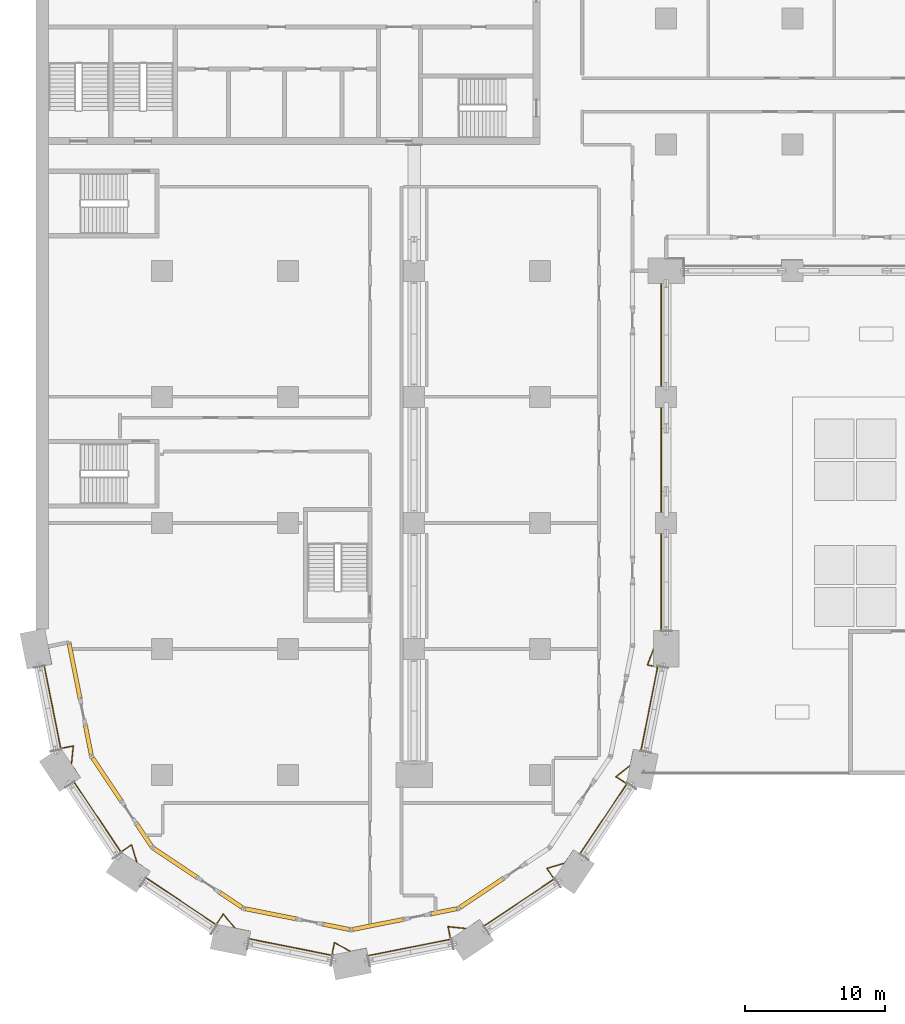
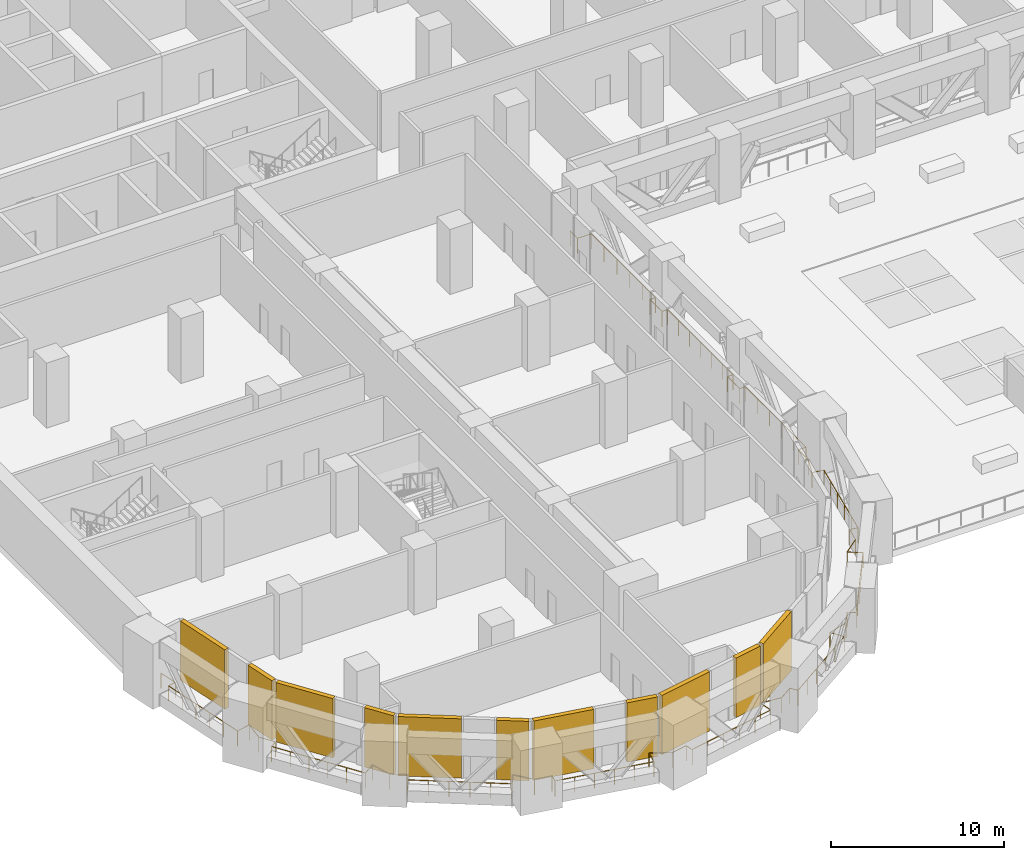
# One storey, part 26 of 31: 11 shading devices, 1 railing.
"""IFC4 building model written with IfcOpenShell, lengths in metres."""

from ifc_helpers import new_model, si_unit, direction, frame, origin, origin_2d, place, context, subcontext, project, spatial, rectangle, circle, extrude, material, layer, layer_set, type_object, element, save


model = new_model("IFC4")

# Units and contexts
model_context = context("Model", 3, precision=1e-05, world=origin(), true_north=direction((0.0, 1.0)))
body_context = subcontext(model_context, "Body", "Model", "MODEL_VIEW")
ifc_project = project(units=[si_unit("LENGTHUNIT", "METRE"), si_unit("AREAUNIT", "SQUARE_METRE"), si_unit("VOLUMEUNIT", "CUBIC_METRE"), si_unit("PLANEANGLEUNIT", "RADIAN"), si_unit("MASSUNIT", "GRAM", prefix="KILO")], contexts=[model_context])

# Site, building, storey
site_placement = place(None, origin())
site = spatial("IfcSite", under=ifc_project, at=site_placement, CompositionType="ELEMENT")
building_placement = place(site_placement, origin())
building = spatial("IfcBuilding", under=site, at=building_placement, Name="Hunhe Ridgeline Campus", CompositionType="ELEMENT")
storey_placement = place(building_placement, frame((0.0, 0.0, 31.199951171875)))
storey = spatial("IfcBuildingStorey", under=building, at=storey_placement, Name="L06", CompositionType="ELEMENT", Elevation=31.199951171875)

# Railing
ifc_material_1 = material(Name="Steel Q355", Category="steel")
railing_type = type_object("IfcRailingType", Name="Loggia guard 1100 Steel Q355", PredefinedType="GUARDRAIL", material=ifc_material_1)
railing_placement = place(storey_placement, frame((0.853271484375, 27.169677734375, 0.0)))
element("IfcRailing", 1, at=railing_placement, inside=storey, type_object=railing_type, Name="Loggia guard 1", PredefinedType="GUARDRAIL", context=body_context, shape_type="SweptSolid", body=[
    extrude(circle(Radius=0.02392578125, at=origin_2d()), frame((0.0, 0.0, 1.076171875), z_axis=(0.195139364365, -0.980775523999, 0.0), x_axis=(0.980775523999, 0.195139364365, 0.0)), (0.0, 0.0, 1.0), 1.249755859375),
    extrude(circle(Radius=0.02392578125, at=origin_2d()), frame((0.243896484375, -1.225830078125, 1.076171875), z_axis=(-0.980742851189, -0.195303506986, 0.0), x_axis=(0.195303506986, -0.980742851189, 0.0)), (0.0, 0.0, 1.0), 0.52001953125),
    extrude(circle(Radius=0.02392578125, at=origin_2d()), frame((-0.26611328125, -1.327392578125, 1.076171875), z_axis=(0.195094074844, -0.980784533912, 0.0), x_axis=(0.980784533912, 0.195094074844, 0.0)), (0.0, 0.0, 1.0), 6.064208984375),
    extrude(circle(Radius=0.02392578125, at=origin_2d()), frame((0.9169921875, -7.275146484375, 1.076171875), z_axis=(0.980774480174, 0.195144610585, 0.0), x_axis=(-0.195144610585, 0.980774480174, 0.0)), (0.0, 0.0, 1.0), 0.918212890625),
    extrude(circle(Radius=0.02392578125, at=origin_2d()), frame((1.817626953125, -7.095947265625, 1.076171875), z_axis=(-0.102578746514, -0.994724886973, 0.0), x_axis=(0.994724886973, -0.102578746514, 0.0)), (0.0, 0.0, 1.0), 1.351806640625),
    extrude(circle(Radius=0.02392578125, at=origin_2d()), frame((1.678955078125, -8.440673828125, 1.076171875), z_axis=(0.555693885997, -0.831386976724, 0.0), x_axis=(0.831386976724, 0.555693885997, 0.0)), (0.0, 0.0, 1.0), 1.076904296875),
    extrude(circle(Radius=0.02392578125, at=origin_2d()), frame((2.27734375, -9.3359375, 1.076171875), z_axis=(-0.831327417949, -0.555782982977, 0.0), x_axis=(0.555782982977, -0.831327417949, 0.0)), (0.0, 0.0, 1.0), 0.52001953125),
    extrude(circle(Radius=0.02392578125, at=origin_2d()), frame((1.844970703125, -9.625, 1.076171875), z_axis=(0.55557319973, -0.831467630002, 0.0), x_axis=(0.831467630002, 0.55557319973, 0.0)), (0.0, 0.0, 1.0), 6.064208984375),
    extrude(circle(Radius=0.02392578125, at=origin_2d()), frame((5.214111328125, -14.667236328125, 1.076171875), z_axis=(0.831395250422, 0.555681507318, 0.0), x_axis=(-0.555681507318, 0.831395250422, 0.0)), (0.0, 0.0, 1.0), 0.918212890625),
    extrude(circle(Radius=0.02392578125, at=origin_2d()), frame((5.9775390625, -14.156982421875, 1.076171875), z_axis=(0.285889499126, -0.958262591511, 0.0), x_axis=(0.958262591511, 0.285889499126, 0.0)), (0.0, 0.0, 1.0), 1.351806640625),
    extrude(circle(Radius=0.02392578125, at=origin_2d()), frame((6.364013671875, -15.452392578125, 1.076171875), z_axis=(0.831456967492, -0.555589156849, 0.0), x_axis=(0.555589156849, 0.831456967492, 0.0)), (0.0, 0.0, 1.0), 1.0771484375),
    extrude(circle(Radius=0.02392578125, at=origin_2d()), frame((7.259521484375, -16.05078125, 1.076171875), z_axis=(-0.555675381322, -0.831399344835, 0.0), x_axis=(0.831399344835, -0.555675381322, 0.0)), (0.0, 0.0, 1.0), 0.519775390625),
    extrude(circle(Radius=0.02392578125, at=origin_2d()), frame((6.970703125, -16.48291015625, 1.076171875), z_axis=(0.831467630002, -0.55557319973, 0.0), x_axis=(0.55557319973, 0.831467630002, 0.0)), (0.0, 0.0, 1.0), 6.064208984375),
    extrude(circle(Radius=0.02392578125, at=origin_2d()), frame((12.012939453125, -19.85205078125, 1.076171875), z_axis=(0.555497688072, 0.831518080709, 0.0), x_axis=(-0.831518080709, 0.555497688072, 0.0)), (0.0, 0.0, 1.0), 0.918212890625),
    extrude(circle(Radius=0.02392578125, at=origin_2d()), frame((12.52294921875, -19.088623046875, 1.076171875), z_axis=(0.630864561128, -0.775892972976, 0.0), x_axis=(0.775892972976, 0.630864561128, 0.0)), (0.0, 0.0, 1.0), 1.351806640625),
    extrude(circle(Radius=0.02392578125, at=origin_2d()), frame((13.375732421875, -20.137451171875, 1.076171875), z_axis=(0.980771998786, -0.195157081339, 0.0), x_axis=(0.195157081339, 0.980771998786, 0.0)), (0.0, 0.0, 1.0), 1.0771484375),
    extrude(circle(Radius=0.02392578125, at=origin_2d()), frame((14.43212890625, -20.34765625, 1.076171875), z_axis=(-0.195303506986, -0.980742851189, 0.0), x_axis=(0.980742851189, -0.195303506986, 0.0)), (0.0, 0.0, 1.0), 0.52001953125),
    extrude(circle(Radius=0.02392578125, at=origin_2d()), frame((14.33056640625, -20.857666015625, 1.076171875), z_axis=(0.980792236535, -0.195055347919, 0.0), x_axis=(0.195055347919, 0.980792236535, 0.0)), (0.0, 0.0, 1.0), 6.064208984375),
    extrude(circle(Radius=0.02392578125, at=origin_2d()), frame((20.2783203125, -22.04052734375, 1.076171875), z_axis=(0.195144610585, 0.980774480174, 0.0), x_axis=(-0.980774480174, 0.195144610585, 0.0)), (0.0, 0.0, 1.0), 0.918212890625),
    extrude(circle(Radius=0.02392578125, at=origin_2d()), frame((20.45751953125, -21.139892578125, 1.076171875), z_axis=(0.879704471732, -0.475520811757, 0.0), x_axis=(0.475520811757, 0.879704471732, 0.0)), (0.0, 0.0, 1.0), 1.351806640625),
    extrude(circle(Radius=0.02392578125, at=origin_2d()), frame((21.646728515625, -21.78271484375, 1.076171875), z_axis=(0.980763363144, 0.195200475189, 0.0), x_axis=(-0.195200475189, 0.980763363144, 0.0)), (0.0, 0.0, 1.0), 1.076904296875),
    extrude(circle(Radius=0.02392578125, at=origin_2d()), frame((22.702880859375, -21.572509765625, 1.076171875), z_axis=(0.195303506986, -0.980742851189, 0.0), x_axis=(0.980742851189, 0.195303506986, 0.0)), (0.0, 0.0, 1.0), 0.52001953125),
    extrude(circle(Radius=0.02392578125, at=origin_2d()), frame((22.804443359375, -22.08251953125, 1.076171875), z_axis=(0.980784533912, 0.195094074844, 0.0), x_axis=(-0.195094074844, 0.980784533912, 0.0)), (0.0, 0.0, 1.0), 6.064208984375),
    extrude(circle(Radius=0.02392578125, at=origin_2d()), frame((28.752197265625, -20.8994140625, 1.076171875), z_axis=(-0.195144610585, 0.980774480174, 0.0), x_axis=(-0.980774480174, -0.195144610585, 0.0)), (0.0, 0.0, 1.0), 0.918212890625),
    extrude(circle(Radius=0.02392578125, at=origin_2d()), frame((28.572998046875, -19.998779296875, 1.076171875), z_axis=(0.994724886973, -0.102578746514, 0.0), x_axis=(0.102578746514, 0.994724886973, 0.0)), (0.0, 0.0, 1.0), 1.351806640625),
    extrude(circle(Radius=0.02392578125, at=origin_2d()), frame((29.917724609375, -20.137451171875, 1.076171875), z_axis=(0.831386976724, 0.555693885997, 0.0), x_axis=(-0.555693885997, 0.831386976724, 0.0)), (0.0, 0.0, 1.0), 1.076904296875),
    extrude(circle(Radius=0.02392578125, at=origin_2d()), frame((30.81298828125, -19.5390625, 1.076171875), z_axis=(0.555782982977, -0.831327417949, 0.0), x_axis=(0.831327417949, 0.555782982977, 0.0)), (0.0, 0.0, 1.0), 0.52001953125),
    extrude(circle(Radius=0.02392578125, at=origin_2d()), frame((31.10205078125, -19.971435546875, 1.076171875), z_axis=(0.831467630002, 0.55557319973, 0.0), x_axis=(-0.55557319973, 0.831467630002, 0.0)), (0.0, 0.0, 1.0), 6.064208984375),
    extrude(circle(Radius=0.02392578125, at=origin_2d()), frame((36.144287109375, -16.602294921875, 1.076171875), z_axis=(-0.555681507318, 0.831395250422, 0.0), x_axis=(-0.831395250422, -0.555681507318, 0.0)), (0.0, 0.0, 1.0), 0.918212890625),
    extrude(circle(Radius=0.02392578125, at=origin_2d()), frame((35.634033203125, -15.8388671875, 1.076171875), z_axis=(0.958262591511, 0.285889499126, 0.0), x_axis=(-0.285889499126, 0.958262591511, 0.0)), (0.0, 0.0, 1.0), 1.351806640625),
    extrude(circle(Radius=0.02392578125, at=origin_2d()), frame((36.929443359375, -15.452392578125, 1.076171875), z_axis=(0.555589156849, 0.831456967492, 0.0), x_axis=(-0.831456967492, 0.555589156849, 0.0)), (0.0, 0.0, 1.0), 1.0771484375),
    extrude(circle(Radius=0.02392578125, at=origin_2d()), frame((37.52783203125, -14.556884765625, 1.076171875), z_axis=(0.831399344835, -0.555675381322, 0.0), x_axis=(0.555675381322, 0.831399344835, 0.0)), (0.0, 0.0, 1.0), 0.519775390625),
    extrude(circle(Radius=0.02392578125, at=origin_2d()), frame((37.9599609375, -14.845703125, 1.076171875), z_axis=(0.55557319973, 0.831467630002, 0.0), x_axis=(-0.831467630002, 0.55557319973, 0.0)), (0.0, 0.0, 1.0), 6.064208984375),
    extrude(circle(Radius=0.02392578125, at=origin_2d()), frame((41.3291015625, -9.803466796875, 1.076171875), z_axis=(-0.831518080709, 0.555497688072, 0.0), x_axis=(-0.555497688072, -0.831518080709, 0.0)), (0.0, 0.0, 1.0), 0.918212890625),
    extrude(circle(Radius=0.02392578125, at=origin_2d()), frame((40.565673828125, -9.29345703125, 1.076171875), z_axis=(0.775892972976, 0.630864561128, 0.0), x_axis=(-0.630864561128, 0.775892972976, 0.0)), (0.0, 0.0, 1.0), 1.351806640625),
    extrude(circle(Radius=0.02392578125, at=origin_2d()), frame((41.614501953125, -8.440673828125, 1.076171875), z_axis=(0.195157081339, 0.980771998786, 0.0), x_axis=(-0.980771998786, 0.195157081339, 0.0)), (0.0, 0.0, 1.0), 1.0771484375),
    extrude(circle(Radius=0.02392578125, at=origin_2d()), frame((41.82470703125, -7.38427734375, 1.076171875), z_axis=(0.980742851189, -0.195303506986, 0.0), x_axis=(0.195303506986, 0.980742851189, 0.0)), (0.0, 0.0, 1.0), 0.52001953125),
    extrude(circle(Radius=0.02392578125, at=origin_2d()), frame((42.334716796875, -7.48583984375, 1.076171875), z_axis=(0.19507712928, 0.980787904509, 0.0), x_axis=(-0.980787904509, 0.19507712928, 0.0)), (0.0, 0.0, 1.0), 6.146240234375),
    extrude(circle(Radius=0.02392578125, at=origin_2d()), frame((43.53369140625, -1.457763671875, 1.076171875), z_axis=(-0.980808789294, 0.194972097602, 0.0), x_axis=(-0.194972097602, -0.980808789294, 0.0)), (0.0, 0.0, 1.0), 0.73876953125),
    extrude(circle(Radius=0.02392578125, at=origin_2d()), frame((42.80908203125, -1.313720703125, 1.076171875), z_axis=(0.35537018301, 0.93472564586, 0.0), x_axis=(-0.93472564586, 0.35537018301, 0.0)), (0.0, 0.0, 1.0), 1.315673828125),
    extrude(circle(Radius=0.02392578125, at=origin_2d()), frame((43.276611328125, -0.083984375, 1.076171875), z_axis=(0.0, 1.0, 0.0), x_axis=(-1.0, 0.0, 0.0)), (0.0, 0.0, 1.0), 1.164306640625),
    extrude(circle(Radius=0.02392578125, at=origin_2d()), frame((43.276611328125, 1.080322265625, 1.076171875), z_axis=(1.0, 0.0, 0.0), x_axis=(0.0, 1.0, 0.0)), (0.0, 0.0, 1.0), 0.52001953125),
    extrude(circle(Radius=0.02392578125, at=origin_2d()), frame((43.796630859375, 1.080322265625, 1.076171875), z_axis=(0.0, 1.0, 0.0), x_axis=(-1.0, 0.0, 0.0)), (0.0, 0.0, 1.0), 7.050048828125),
    extrude(circle(Radius=0.02392578125, at=origin_2d()), frame((43.796630859375, 8.13037109375, 1.076171875), z_axis=(-1.0, 0.0, 0.0), x_axis=(0.0, -1.0, 0.0)), (0.0, 0.0, 1.0), 0.369873046875),
    extrude(circle(Radius=0.02392578125, at=origin_2d()), frame((43.4267578125, 8.13037109375, 1.076171875), z_axis=(0.0, 1.0, 0.0), x_axis=(-1.0, 0.0, 0.0)), (0.0, 0.0, 1.0), 1.39990234375),
    extrude(circle(Radius=0.02392578125, at=origin_2d()), frame((43.4267578125, 9.5302734375, 1.076171875), z_axis=(1.0, 0.0, 0.0), x_axis=(0.0, 1.0, 0.0)), (0.0, 0.0, 1.0), 0.369873046875),
    extrude(circle(Radius=0.02392578125, at=origin_2d()), frame((43.796630859375, 9.5302734375, 1.076171875), z_axis=(0.0, 1.0, 0.0), x_axis=(-1.0, 0.0, 0.0)), (0.0, 0.0, 1.0), 7.60009765625),
    extrude(circle(Radius=0.02392578125, at=origin_2d()), frame((43.796630859375, 17.13037109375, 1.076171875), z_axis=(-1.0, 0.0, 0.0), x_axis=(0.0, -1.0, 0.0)), (0.0, 0.0, 1.0), 0.369873046875),
    extrude(circle(Radius=0.02392578125, at=origin_2d()), frame((43.4267578125, 17.13037109375, 1.076171875), z_axis=(0.0, 1.0, 0.0), x_axis=(-1.0, 0.0, 0.0)), (0.0, 0.0, 1.0), 1.39990234375),
    extrude(circle(Radius=0.02392578125, at=origin_2d()), frame((43.4267578125, 18.5302734375, 1.076171875), z_axis=(1.0, 0.0, 0.0), x_axis=(0.0, 1.0, 0.0)), (0.0, 0.0, 1.0), 0.369873046875),
    extrude(circle(Radius=0.02392578125, at=origin_2d()), frame((43.796630859375, 18.5302734375, 1.076171875), z_axis=(0.0, 1.0, 0.0), x_axis=(-1.0, 0.0, 0.0)), (0.0, 0.0, 1.0), 7.449951171875),
    extrude(circle(Radius=0.02392578125, at=origin_2d()), frame((43.796630859375, 25.980224609375, 1.076171875), z_axis=(-1.0, 0.0, 0.0), x_axis=(0.0, -1.0, 0.0)), (0.0, 0.0, 1.0), 0.919921875),
    extrude(circle(Radius=0.02392578125, at=origin_2d()), frame((42.876708984375, 25.980224609375, 1.076171875), z_axis=(0.0, 1.0, 0.0), x_axis=(-1.0, 0.0, 0.0)), (0.0, 0.0, 1.0), 0.85009765625),
    extrude(circle(Radius=0.02099609375, at=origin_2d()), origin(), (0.0, 0.0, 1.0), 1.052001953125),
    extrude(circle(Radius=0.02099609375, at=origin_2d()), frame((0.243896484375, -1.225830078125, 0.0)), (0.0, 0.0, 1.0), 1.052001953125),
    extrude(circle(Radius=0.02099609375, at=origin_2d()), frame((-0.26611328125, -1.327392578125, 0.0)), (0.0, 0.0, 1.0), 1.052001953125),
    extrude(circle(Radius=0.02099609375, at=origin_2d()), frame((-0.029541015625, -2.516845703125, 0.0)), (0.0, 0.0, 1.0), 1.052001953125),
    extrude(circle(Radius=0.02099609375, at=origin_2d()), frame((0.20703125, -3.70654296875, 0.0)), (0.0, 0.0, 1.0), 1.052001953125),
    extrude(circle(Radius=0.02099609375, at=origin_2d()), frame((0.44384765625, -4.89599609375, 0.0)), (0.0, 0.0, 1.0), 1.052001953125),
    extrude(circle(Radius=0.02099609375, at=origin_2d()), frame((0.680419921875, -6.085693359375, 0.0)), (0.0, 0.0, 1.0), 1.052001953125),
    extrude(circle(Radius=0.02099609375, at=origin_2d()), frame((0.9169921875, -7.275146484375, 0.0)), (0.0, 0.0, 1.0), 1.052001953125),
    extrude(circle(Radius=0.02099609375, at=origin_2d()), frame((1.817626953125, -7.095947265625, 0.0)), (0.0, 0.0, 1.0), 1.052001953125),
    extrude(circle(Radius=0.02099609375, at=origin_2d()), frame((1.678955078125, -8.440673828125, 0.0)), (0.0, 0.0, 1.0), 1.052001953125),
    extrude(circle(Radius=0.02099609375, at=origin_2d()), frame((2.27734375, -9.3359375, 0.0)), (0.0, 0.0, 1.0), 1.052001953125),
    extrude(circle(Radius=0.02099609375, at=origin_2d()), frame((1.844970703125, -9.625, 0.0)), (0.0, 0.0, 1.0), 1.052001953125),
    extrude(circle(Radius=0.02099609375, at=origin_2d()), frame((2.518798828125, -10.633544921875, 0.0)), (0.0, 0.0, 1.0), 1.052001953125),
    extrude(circle(Radius=0.02099609375, at=origin_2d()), frame((3.192626953125, -11.641845703125, 0.0)), (0.0, 0.0, 1.0), 1.052001953125),
    extrude(circle(Radius=0.02099609375, at=origin_2d()), frame((3.866455078125, -12.650390625, 0.0)), (0.0, 0.0, 1.0), 1.052001953125),
    extrude(circle(Radius=0.02099609375, at=origin_2d()), frame((4.540283203125, -13.65869140625, 0.0)), (0.0, 0.0, 1.0), 1.052001953125),
    extrude(circle(Radius=0.02099609375, at=origin_2d()), frame((5.214111328125, -14.667236328125, 0.0)), (0.0, 0.0, 1.0), 1.052001953125),
    extrude(circle(Radius=0.02099609375, at=origin_2d()), frame((5.9775390625, -14.156982421875, 0.0)), (0.0, 0.0, 1.0), 1.052001953125),
    extrude(circle(Radius=0.02099609375, at=origin_2d()), frame((6.364013671875, -15.452392578125, 0.0)), (0.0, 0.0, 1.0), 1.052001953125),
    extrude(circle(Radius=0.02099609375, at=origin_2d()), frame((7.259521484375, -16.05078125, 0.0)), (0.0, 0.0, 1.0), 1.052001953125),
    extrude(circle(Radius=0.02099609375, at=origin_2d()), frame((6.970703125, -16.48291015625, 0.0)), (0.0, 0.0, 1.0), 1.052001953125),
    extrude(circle(Radius=0.02099609375, at=origin_2d()), frame((7.979248046875, -17.15673828125, 0.0)), (0.0, 0.0, 1.0), 1.052001953125),
    extrude(circle(Radius=0.02099609375, at=origin_2d()), frame((8.987548828125, -17.83056640625, 0.0)), (0.0, 0.0, 1.0), 1.052001953125),
    extrude(circle(Radius=0.02099609375, at=origin_2d()), frame((9.99609375, -18.50439453125, 0.0)), (0.0, 0.0, 1.0), 1.052001953125),
    extrude(circle(Radius=0.02099609375, at=origin_2d()), frame((11.00439453125, -19.17822265625, 0.0)), (0.0, 0.0, 1.0), 1.052001953125),
    extrude(circle(Radius=0.02099609375, at=origin_2d()), frame((12.012939453125, -19.85205078125, 0.0)), (0.0, 0.0, 1.0), 1.052001953125),
    extrude(circle(Radius=0.02099609375, at=origin_2d()), frame((12.52294921875, -19.088623046875, 0.0)), (0.0, 0.0, 1.0), 1.052001953125),
    extrude(circle(Radius=0.02099609375, at=origin_2d()), frame((13.375732421875, -20.137451171875, 0.0)), (0.0, 0.0, 1.0), 1.052001953125),
    extrude(circle(Radius=0.02099609375, at=origin_2d()), frame((14.43212890625, -20.34765625, 0.0)), (0.0, 0.0, 1.0), 1.052001953125),
    extrude(circle(Radius=0.02099609375, at=origin_2d()), frame((14.33056640625, -20.857666015625, 0.0)), (0.0, 0.0, 1.0), 1.052001953125),
    extrude(circle(Radius=0.02099609375, at=origin_2d()), frame((15.52001953125, -21.09423828125, 0.0)), (0.0, 0.0, 1.0), 1.052001953125),
    extrude(circle(Radius=0.02099609375, at=origin_2d()), frame((16.709716796875, -21.330810546875, 0.0)), (0.0, 0.0, 1.0), 1.052001953125),
    extrude(circle(Radius=0.02099609375, at=origin_2d()), frame((17.899169921875, -21.5673828125, 0.0)), (0.0, 0.0, 1.0), 1.052001953125),
    extrude(circle(Radius=0.02099609375, at=origin_2d()), frame((19.0888671875, -21.803955078125, 0.0)), (0.0, 0.0, 1.0), 1.052001953125),
    extrude(circle(Radius=0.02099609375, at=origin_2d()), frame((20.2783203125, -22.04052734375, 0.0)), (0.0, 0.0, 1.0), 1.052001953125),
    extrude(circle(Radius=0.02099609375, at=origin_2d()), frame((20.45751953125, -21.139892578125, 0.0)), (0.0, 0.0, 1.0), 1.052001953125),
    extrude(circle(Radius=0.02099609375, at=origin_2d()), frame((21.646728515625, -21.78271484375, 0.0)), (0.0, 0.0, 1.0), 1.052001953125),
    extrude(circle(Radius=0.02099609375, at=origin_2d()), frame((22.702880859375, -21.572509765625, 0.0)), (0.0, 0.0, 1.0), 1.052001953125),
    extrude(circle(Radius=0.02099609375, at=origin_2d()), frame((22.804443359375, -22.08251953125, 0.0)), (0.0, 0.0, 1.0), 1.052001953125),
    extrude(circle(Radius=0.02099609375, at=origin_2d()), frame((23.993896484375, -21.845947265625, 0.0)), (0.0, 0.0, 1.0), 1.052001953125),
    extrude(circle(Radius=0.02099609375, at=origin_2d()), frame((25.18359375, -21.609375, 0.0)), (0.0, 0.0, 1.0), 1.052001953125),
    extrude(circle(Radius=0.02099609375, at=origin_2d()), frame((26.373046875, -21.37255859375, 0.0)), (0.0, 0.0, 1.0), 1.052001953125),
    extrude(circle(Radius=0.02099609375, at=origin_2d()), frame((27.562744140625, -21.135986328125, 0.0)), (0.0, 0.0, 1.0), 1.052001953125),
    extrude(circle(Radius=0.02099609375, at=origin_2d()), frame((28.752197265625, -20.8994140625, 0.0)), (0.0, 0.0, 1.0), 1.052001953125),
    extrude(circle(Radius=0.02099609375, at=origin_2d()), frame((28.572998046875, -19.998779296875, 0.0)), (0.0, 0.0, 1.0), 1.052001953125),
    extrude(circle(Radius=0.02099609375, at=origin_2d()), frame((29.917724609375, -20.137451171875, 0.0)), (0.0, 0.0, 1.0), 1.052001953125),
    extrude(circle(Radius=0.02099609375, at=origin_2d()), frame((30.81298828125, -19.5390625, 0.0)), (0.0, 0.0, 1.0), 1.052001953125),
    extrude(circle(Radius=0.02099609375, at=origin_2d()), frame((31.10205078125, -19.971435546875, 0.0)), (0.0, 0.0, 1.0), 1.052001953125),
    extrude(circle(Radius=0.02099609375, at=origin_2d()), frame((32.110595703125, -19.297607421875, 0.0)), (0.0, 0.0, 1.0), 1.052001953125),
    extrude(circle(Radius=0.02099609375, at=origin_2d()), frame((33.118896484375, -18.623779296875, 0.0)), (0.0, 0.0, 1.0), 1.052001953125),
    extrude(circle(Radius=0.02099609375, at=origin_2d()), frame((34.12744140625, -17.949951171875, 0.0)), (0.0, 0.0, 1.0), 1.052001953125),
    extrude(circle(Radius=0.02099609375, at=origin_2d()), frame((35.1357421875, -17.276123046875, 0.0)), (0.0, 0.0, 1.0), 1.052001953125),
    extrude(circle(Radius=0.02099609375, at=origin_2d()), frame((36.144287109375, -16.602294921875, 0.0)), (0.0, 0.0, 1.0), 1.052001953125),
    extrude(circle(Radius=0.02099609375, at=origin_2d()), frame((35.634033203125, -15.8388671875, 0.0)), (0.0, 0.0, 1.0), 1.052001953125),
    extrude(circle(Radius=0.02099609375, at=origin_2d()), frame((36.929443359375, -15.452392578125, 0.0)), (0.0, 0.0, 1.0), 1.052001953125),
    extrude(circle(Radius=0.02099609375, at=origin_2d()), frame((37.52783203125, -14.556884765625, 0.0)), (0.0, 0.0, 1.0), 1.052001953125),
    extrude(circle(Radius=0.02099609375, at=origin_2d()), frame((37.9599609375, -14.845703125, 0.0)), (0.0, 0.0, 1.0), 1.052001953125),
    extrude(circle(Radius=0.02099609375, at=origin_2d()), frame((38.6337890625, -13.837158203125, 0.0)), (0.0, 0.0, 1.0), 1.052001953125),
    extrude(circle(Radius=0.02099609375, at=origin_2d()), frame((39.3076171875, -12.828857421875, 0.0)), (0.0, 0.0, 1.0), 1.052001953125),
    extrude(circle(Radius=0.02099609375, at=origin_2d()), frame((39.9814453125, -11.8203125, 0.0)), (0.0, 0.0, 1.0), 1.052001953125),
    extrude(circle(Radius=0.02099609375, at=origin_2d()), frame((40.6552734375, -10.81201171875, 0.0)), (0.0, 0.0, 1.0), 1.052001953125),
    extrude(circle(Radius=0.02099609375, at=origin_2d()), frame((41.3291015625, -9.803466796875, 0.0)), (0.0, 0.0, 1.0), 1.052001953125),
    extrude(circle(Radius=0.02099609375, at=origin_2d()), frame((40.565673828125, -9.29345703125, 0.0)), (0.0, 0.0, 1.0), 1.052001953125),
    extrude(circle(Radius=0.02099609375, at=origin_2d()), frame((41.614501953125, -8.440673828125, 0.0)), (0.0, 0.0, 1.0), 1.052001953125),
    extrude(circle(Radius=0.02099609375, at=origin_2d()), frame((41.82470703125, -7.38427734375, 0.0)), (0.0, 0.0, 1.0), 1.052001953125),
    extrude(circle(Radius=0.02099609375, at=origin_2d()), frame((42.334716796875, -7.48583984375, 0.0)), (0.0, 0.0, 1.0), 1.052001953125),
    extrude(circle(Radius=0.02099609375, at=origin_2d()), frame((42.574462890625, -6.2802734375, 0.0)), (0.0, 0.0, 1.0), 1.052001953125),
    extrude(circle(Radius=0.02099609375, at=origin_2d()), frame((42.814208984375, -5.07470703125, 0.0)), (0.0, 0.0, 1.0), 1.052001953125),
    extrude(circle(Radius=0.02099609375, at=origin_2d()), frame((43.05419921875, -3.868896484375, 0.0)), (0.0, 0.0, 1.0), 1.052001953125),
    extrude(circle(Radius=0.02099609375, at=origin_2d()), frame((43.2939453125, -2.663330078125, 0.0)), (0.0, 0.0, 1.0), 1.052001953125),
    extrude(circle(Radius=0.02099609375, at=origin_2d()), frame((43.53369140625, -1.457763671875, 0.0)), (0.0, 0.0, 1.0), 1.052001953125),
    extrude(circle(Radius=0.02099609375, at=origin_2d()), frame((42.80908203125, -1.313720703125, 0.0)), (0.0, 0.0, 1.0), 1.052001953125),
    extrude(circle(Radius=0.02099609375, at=origin_2d()), frame((43.276611328125, -0.083984375, 0.0)), (0.0, 0.0, 1.0), 1.052001953125),
    extrude(circle(Radius=0.02099609375, at=origin_2d()), frame((43.276611328125, 1.080322265625, 0.0)), (0.0, 0.0, 1.0), 1.052001953125),
    extrude(circle(Radius=0.02099609375, at=origin_2d()), frame((43.796630859375, 1.080322265625, 0.0)), (0.0, 0.0, 1.0), 1.052001953125),
    extrude(circle(Radius=0.02099609375, at=origin_2d()), frame((43.796630859375, 2.490234375, 0.0)), (0.0, 0.0, 1.0), 1.052001953125),
    extrude(circle(Radius=0.02099609375, at=origin_2d()), frame((43.796630859375, 3.900390625, 0.0)), (0.0, 0.0, 1.0), 1.052001953125),
    extrude(circle(Radius=0.02099609375, at=origin_2d()), frame((43.796630859375, 5.310302734375, 0.0)), (0.0, 0.0, 1.0), 1.052001953125),
    extrude(circle(Radius=0.02099609375, at=origin_2d()), frame((43.796630859375, 6.720458984375, 0.0)), (0.0, 0.0, 1.0), 1.052001953125),
    extrude(circle(Radius=0.02099609375, at=origin_2d()), frame((43.796630859375, 8.13037109375, 0.0)), (0.0, 0.0, 1.0), 1.052001953125),
    extrude(circle(Radius=0.02099609375, at=origin_2d()), frame((43.4267578125, 8.13037109375, 0.0)), (0.0, 0.0, 1.0), 1.052001953125),
    extrude(circle(Radius=0.02099609375, at=origin_2d()), frame((43.4267578125, 9.5302734375, 0.0)), (0.0, 0.0, 1.0), 1.052001953125),
    extrude(circle(Radius=0.02099609375, at=origin_2d()), frame((43.796630859375, 9.5302734375, 0.0)), (0.0, 0.0, 1.0), 1.052001953125),
    extrude(circle(Radius=0.02099609375, at=origin_2d()), frame((43.796630859375, 10.796875, 0.0)), (0.0, 0.0, 1.0), 1.052001953125),
    extrude(circle(Radius=0.02099609375, at=origin_2d()), frame((43.796630859375, 12.063720703125, 0.0)), (0.0, 0.0, 1.0), 1.052001953125),
    extrude(circle(Radius=0.02099609375, at=origin_2d()), frame((43.796630859375, 13.330322265625, 0.0)), (0.0, 0.0, 1.0), 1.052001953125),
    extrude(circle(Radius=0.02099609375, at=origin_2d()), frame((43.796630859375, 14.596923828125, 0.0)), (0.0, 0.0, 1.0), 1.052001953125),
    extrude(circle(Radius=0.02099609375, at=origin_2d()), frame((43.796630859375, 15.86376953125, 0.0)), (0.0, 0.0, 1.0), 1.052001953125),
    extrude(circle(Radius=0.02099609375, at=origin_2d()), frame((43.796630859375, 17.13037109375, 0.0)), (0.0, 0.0, 1.0), 1.052001953125),
    extrude(circle(Radius=0.02099609375, at=origin_2d()), frame((43.4267578125, 17.13037109375, 0.0)), (0.0, 0.0, 1.0), 1.052001953125),
    extrude(circle(Radius=0.02099609375, at=origin_2d()), frame((43.4267578125, 18.5302734375, 0.0)), (0.0, 0.0, 1.0), 1.052001953125),
    extrude(circle(Radius=0.02099609375, at=origin_2d()), frame((43.796630859375, 18.5302734375, 0.0)), (0.0, 0.0, 1.0), 1.052001953125),
    extrude(circle(Radius=0.02099609375, at=origin_2d()), frame((43.796630859375, 20.020263671875, 0.0)), (0.0, 0.0, 1.0), 1.052001953125),
    extrude(circle(Radius=0.02099609375, at=origin_2d()), frame((43.796630859375, 21.51025390625, 0.0)), (0.0, 0.0, 1.0), 1.052001953125),
    extrude(circle(Radius=0.02099609375, at=origin_2d()), frame((43.796630859375, 23.000244140625, 0.0)), (0.0, 0.0, 1.0), 1.052001953125),
    extrude(circle(Radius=0.02099609375, at=origin_2d()), frame((43.796630859375, 24.490234375, 0.0)), (0.0, 0.0, 1.0), 1.052001953125),
    extrude(circle(Radius=0.02099609375, at=origin_2d()), frame((43.796630859375, 25.980224609375, 0.0)), (0.0, 0.0, 1.0), 1.052001953125),
    extrude(circle(Radius=0.02099609375, at=origin_2d()), frame((42.876708984375, 25.980224609375, 0.0)), (0.0, 0.0, 1.0), 1.052001953125),
    extrude(circle(Radius=0.02099609375, at=origin_2d()), frame((42.876708984375, 26.830322265625, 0.0)), (0.0, 0.0, 1.0), 1.052001953125),
])

# Shading devices
ifc_material_2 = material(Name="Aluminium 6063", Category="aluminium")
ifc_layer = layer(ifc_material_2, 0.300048828125)
ifc_layer_set = layer_set([ifc_layer], Name="Louvre bank 300 Aluminium 6063")
shading_device_type = type_object("IfcShadingDeviceType", Name="Louvre bank 300 Aluminium 6063", PredefinedType="USERDEFINED", material=ifc_layer_set)
shading_device_1_placement = place(storey_placement, frame((2.759765625, 25.43310546875, 0.0), z_axis=(0.0, 0.0, 1.0), x_axis=(0.195095347137, -0.980784280831, 0.0)))
element("IfcShadingDevice", 2, at=shading_device_1_placement, inside=storey, type_object=shading_device_type, Name="Louvre bank 1", ObjectType="LOUVRE", PredefinedType="USERDEFINED", context=body_context, shape_type="SweptSolid", body=[
    extrude(rectangle(XDim=3.910888671875, YDim=0.300048828125, at=origin_2d()), origin(), (0.0, 0.0, 1.0), 4.199951171875),
])
shading_device_2_placement = place(storey_placement, frame((3.7451171875, 20.479248046875, 0.0), z_axis=(0.0, 0.0, 1.0), x_axis=(0.195095217605, -0.980784306597, 0.0)))
element("IfcShadingDevice", 3, at=shading_device_2_placement, inside=storey, type_object=shading_device_type, Name="Louvre bank 2", ObjectType="LOUVRE", PredefinedType="USERDEFINED", context=body_context, shape_type="SweptSolid", body=[
    extrude(rectangle(XDim=2.11083984375, YDim=0.300048828125, at=origin_2d()), origin(), (0.0, 0.0, 1.0), 4.199951171875),
])
shading_device_3_placement = place(storey_placement, frame((5.06103515625, 17.7001953125, 0.0), z_axis=(0.0, 0.0, 1.0), x_axis=(0.555570362959, -0.83146952548, 0.0)))
element("IfcShadingDevice", 4, at=shading_device_3_placement, inside=storey, type_object=shading_device_type, Name="Louvre bank 3", ObjectType="LOUVRE", PredefinedType="USERDEFINED", context=body_context, shape_type="SweptSolid", body=[
    extrude(rectangle(XDim=3.671875, YDim=0.300048828125, at=origin_2d()), origin(), (0.0, 0.0, 1.0), 4.199951171875),
])
shading_device_4_placement = place(storey_placement, frame((7.734375, 13.69921875, 0.0), z_axis=(0.0, 0.0, 1.0), x_axis=(0.555570217564, -0.831469622629, 0.0)))
element("IfcShadingDevice", 5, at=shading_device_4_placement, inside=storey, type_object=shading_device_type, Name="Louvre bank 4", ObjectType="LOUVRE", PredefinedType="USERDEFINED", context=body_context, shape_type="SweptSolid", body=[
    extrude(rectangle(XDim=1.871826171875, YDim=0.300048828125, at=origin_2d()), origin(), (0.0, 0.0, 1.0), 4.199951171875),
])
shading_device_5_placement = place(storey_placement, frame((9.947509765625, 11.734375, 0.0), z_axis=(0.0, 0.0, 1.0), x_axis=(0.831469643564, -0.555570186233, 0.0)))
element("IfcShadingDevice", 6, at=shading_device_5_placement, inside=storey, type_object=shading_device_type, Name="Louvre bank 5", ObjectType="LOUVRE", PredefinedType="USERDEFINED", context=body_context, shape_type="SweptSolid", body=[
    extrude(rectangle(XDim=3.671875, YDim=0.300048828125, at=origin_2d()), origin(), (0.0, 0.0, 1.0), 4.199951171875),
])
shading_device_6_placement = place(storey_placement, frame((13.948486328125, 9.06103515625, 0.0), z_axis=(0.0, 0.0, 1.0), x_axis=(0.831469622629, -0.555570217564, 0.0)))
element("IfcShadingDevice", 7, at=shading_device_6_placement, inside=storey, type_object=shading_device_type, Name="Louvre bank 6", ObjectType="LOUVRE", PredefinedType="USERDEFINED", context=body_context, shape_type="SweptSolid", body=[
    extrude(rectangle(XDim=1.871826171875, YDim=0.300048828125, at=origin_2d()), origin(), (0.0, 0.0, 1.0), 4.199951171875),
])
shading_device_7_placement = place(storey_placement, frame((16.744873046875, 8.0927734375, 0.0), z_axis=(0.0, 0.0, 1.0), x_axis=(0.980785299781, -0.195090224598, 0.0)))
element("IfcShadingDevice", 8, at=shading_device_7_placement, inside=storey, type_object=shading_device_type, Name="Louvre bank 7", ObjectType="LOUVRE", PredefinedType="USERDEFINED", context=body_context, shape_type="SweptSolid", body=[
    extrude(rectangle(XDim=3.671875, YDim=0.300048828125, at=origin_2d()), origin(), (0.0, 0.0, 1.0), 4.199951171875),
])
shading_device_8_placement = place(storey_placement, frame((21.46435546875, 7.154052734375, 0.0), z_axis=(0.0, 0.0, 1.0), x_axis=(0.980785272878, -0.195090359847, 0.0)))
element("IfcShadingDevice", 9, at=shading_device_8_placement, inside=storey, type_object=shading_device_type, Name="Louvre bank 8", ObjectType="LOUVRE", PredefinedType="USERDEFINED", context=body_context, shape_type="SweptSolid", body=[
    extrude(rectangle(XDim=1.871826171875, YDim=0.300048828125, at=origin_2d()), origin(), (0.0, 0.0, 1.0), 4.199951171875),
])
shading_device_9_placement = place(storey_placement, frame((24.41845703125, 7.32958984375, 0.0), z_axis=(0.0, 0.0, 1.0), x_axis=(0.980785250869, 0.195090470497, 0.0)))
element("IfcShadingDevice", 10, at=shading_device_9_placement, inside=storey, type_object=shading_device_type, Name="Louvre bank 9", ObjectType="LOUVRE", PredefinedType="USERDEFINED", context=body_context, shape_type="SweptSolid", body=[
    extrude(rectangle(XDim=3.671875, YDim=0.300048828125, at=origin_2d()), origin(), (0.0, 0.0, 1.0), 4.199951171875),
])
shading_device_10_placement = place(storey_placement, frame((29.137939453125, 8.268310546875, 0.0), z_axis=(0.0, 0.0, 1.0), x_axis=(0.980785272878, 0.195090359847, 0.0)))
element("IfcShadingDevice", 11, at=shading_device_10_placement, inside=storey, type_object=shading_device_type, Name="Louvre bank 10", ObjectType="LOUVRE", PredefinedType="USERDEFINED", context=body_context, shape_type="SweptSolid", body=[
    extrude(rectangle(XDim=1.871826171875, YDim=0.300048828125, at=origin_2d()), origin(), (0.0, 0.0, 1.0), 4.199951171875),
])
shading_device_11_placement = place(storey_placement, frame((31.7998046875, 9.56103515625, 0.0), z_axis=(0.0, 0.0, 1.0), x_axis=(0.83146952548, 0.555570362959, 0.0)))
element("IfcShadingDevice", 12, at=shading_device_11_placement, inside=storey, type_object=shading_device_type, Name="Louvre bank 11", ObjectType="LOUVRE", PredefinedType="USERDEFINED", context=body_context, shape_type="SweptSolid", body=[
    extrude(rectangle(XDim=3.671875, YDim=0.300048828125, at=origin_2d()), origin(), (0.0, 0.0, 1.0), 4.199951171875),
])

save(model, "model.ifc")
